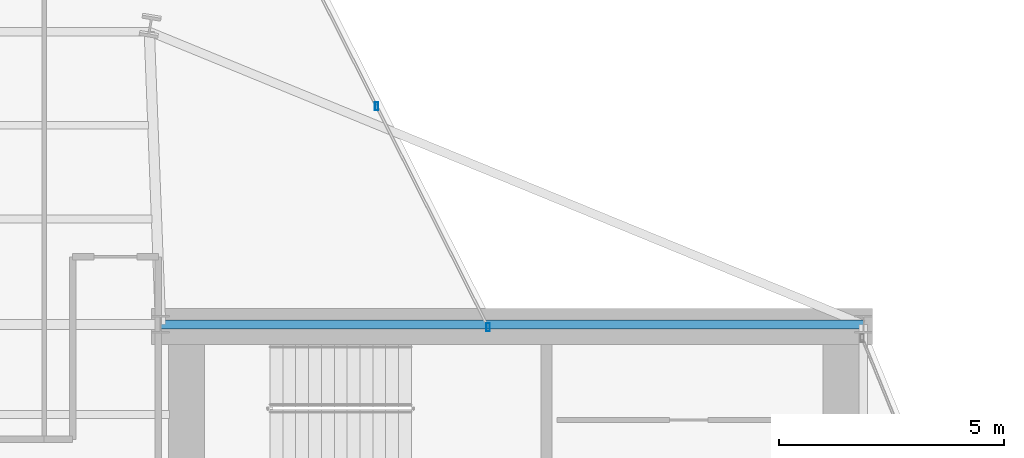
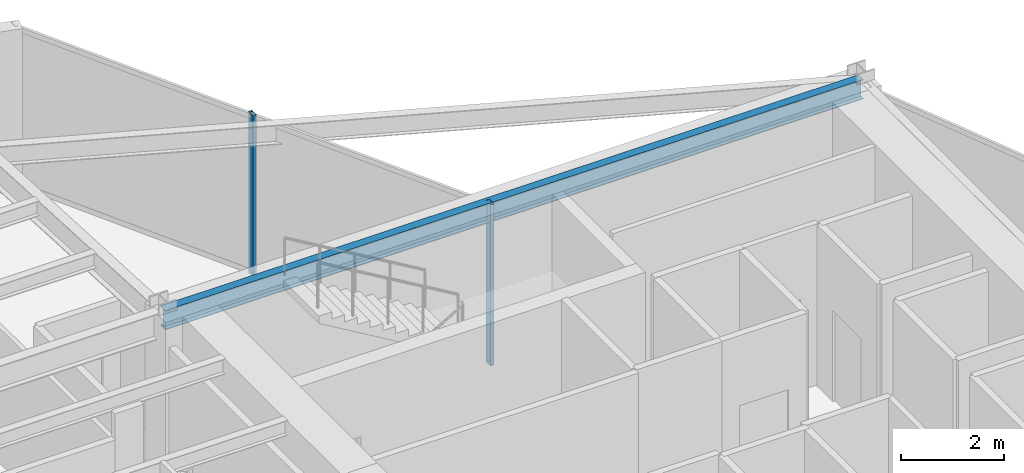
# One storey, part 15 of 25: 2 members, 1 beam, 1 element without a shape of its own.
"""IFC4 building model written with IfcOpenShell, lengths in metres."""

from ifc_helpers import new_model, si_unit, direction, frame, origin, origin_2d, place, context, subcontext, project, spatial, hollow_rectangle, i_section, extrude, material, layer, layer_set, material_profile, profile_set, type_object, element, aggregate, save


model = new_model("IFC4")

# Units and contexts
model_context = context("Model", 3, precision=1e-05, world=origin(), true_north=direction((0.0, 1.0)))
body_context = subcontext(model_context, "Body", "Model", "MODEL_VIEW")
ifc_project = project(units=[si_unit("LENGTHUNIT", "METRE"), si_unit("AREAUNIT", "SQUARE_METRE"), si_unit("VOLUMEUNIT", "CUBIC_METRE"), si_unit("PLANEANGLEUNIT", "RADIAN"), si_unit("MASSUNIT", "GRAM", prefix="KILO")], contexts=[model_context])

# Site, building, storey
site_placement = place(None, origin())
site = spatial("IfcSite", under=ifc_project, at=site_placement, CompositionType="ELEMENT")
building_placement = place(site_placement, origin())
building = spatial("IfcBuilding", under=site, at=building_placement, Name="Veymaron Broadcast Tower", CompositionType="ELEMENT")
storey_placement = place(building_placement, frame((0.0, 0.0, 137.10009765625)))
storey = spatial("IfcBuildingStorey", under=building, at=storey_placement, Name="L31", CompositionType="ELEMENT", Elevation=137.10009765625)

# Beam
ifc_material_1 = material(Name="Structural steel ASTM A992 Gr 50", Category="steel")
ifc_material_profile_1 = material_profile(ifc_material_1, i_section(OverallWidth=0.19091796875, OverallDepth=0.4599609375, WebThickness=0.010009765625, FlangeThickness=0.01611328125, at=origin_2d()), Name="W460X82")
ifc_profile_set_1 = profile_set([ifc_material_profile_1], Name="Structural steel ASTM A992 Gr 50")
beam_type = type_object("IfcBeamType", Name="BM-SP1", PredefinedType="SPANDREL", material=ifc_profile_set_1)
beam_placement = place(storey_placement, frame((39.0, 32.0, 3.579833984375), z_axis=(1.0, 0.0, 0.0), x_axis=(0.0, 1.0, 0.0)))
element("IfcBeam", 1, at=beam_placement, inside=storey, type_object=beam_type, Name="L31 primary structural floor girder", PredefinedType="SPANDREL", context=body_context, shape_type="SweptSolid", body=[
    extrude(i_section(OverallWidth=0.19091796875, OverallDepth=0.4599609375, WebThickness=0.010009765625, FlangeThickness=0.01611328125, at=origin_2d()), origin(), (0.0, 0.0, 1.0), 15.60009765625),
])

# Curtain wall, members
ifc_material_2 = material(Name="Anodised aluminium AA 6063-T6 and laminated low-E dark glass", Category="aluminium")
ifc_layer = layer(ifc_material_2, 0.179931640625)
ifc_layer_set = layer_set([ifc_layer], Name="Anodised aluminium AA 6063-T6 and laminated low-E dark glass")
curtain_wall_type = type_object("IfcCurtainWallType", Name="CW-SYS-03", PredefinedType="NOTDEFINED", material=ifc_layer_set)
curtain_wall_placement = place(storey_placement, origin())
curtain_wall = element("IfcCurtainWall", 2, at=curtain_wall_placement, inside=storey, type_object=curtain_wall_type, Name="L31 dark-glass curtain wall CW-L31-E5-1", PredefinedType="NOTDEFINED")
ifc_material_3 = material(Name="Anodised aluminium AA 6063-T6", Category="aluminium")
ifc_material_profile_2 = material_profile(ifc_material_3, hollow_rectangle(XDim=0.074951171875, YDim=0.179931640625, WallThickness=0.0048828125, at=origin_2d()), Name="AL180X75X5")
ifc_profile_set_2 = profile_set([ifc_material_profile_2], Name="Anodised aluminium AA 6063-T6")
member_type = type_object("IfcMemberType", Name="CW-MUL-02", PredefinedType="MULLION", material=ifc_profile_set_2)
member_1_placement = place(storey_placement, frame((46.27099609375, 31.93701171875, 0.0), z_axis=(0.0, 0.0, 1.0), x_axis=(1.0, 0.0, 0.0)))
member_1 = element("IfcMember", 3, at=member_1_placement, type_object=member_type, Name="CW-L31-E5-1 mullion 0", PredefinedType="MULLION", context=body_context, shape_type="SweptSolid", body=[
    extrude(hollow_rectangle(XDim=0.074951171875, YDim=0.179931640625, WallThickness=0.0048828125, at=origin_2d()), origin(), (0.0, 0.0, 1.0), 3.809814453125),
])
member_2_placement = place(storey_placement, frame((43.79296875, 36.841796875, 0.0), z_axis=(0.0, 0.0, 1.0), x_axis=(1.0, 0.0, 0.0)))
member_2 = element("IfcMember", 4, at=member_2_placement, type_object=member_type, Name="CW-L31-E5-1 mullion 1", PredefinedType="MULLION", context=body_context, shape_type="SweptSolid", body=[
    extrude(hollow_rectangle(XDim=0.074951171875, YDim=0.179931640625, WallThickness=0.0048828125, at=origin_2d()), origin(), (0.0, 0.0, 1.0), 3.809814453125),
])
aggregate(curtain_wall, [member_1, member_2])

save(model, "model.ifc")
